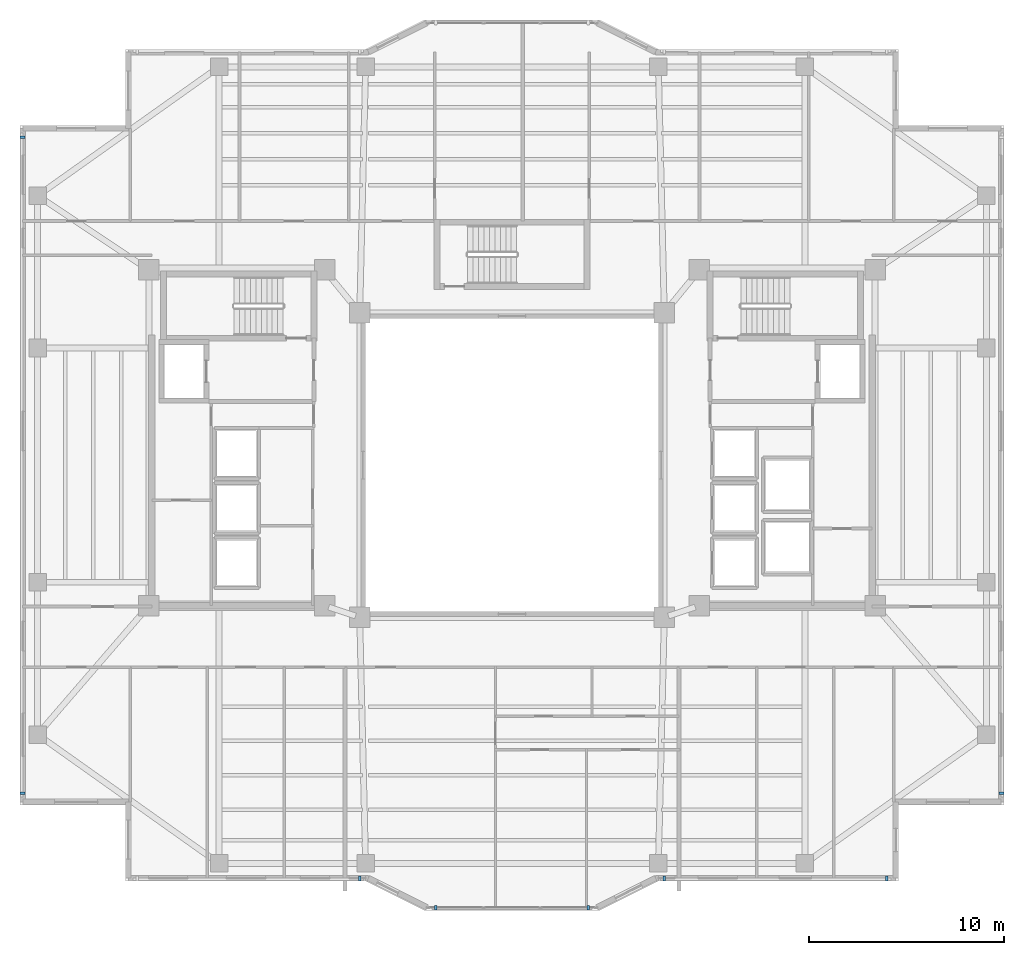
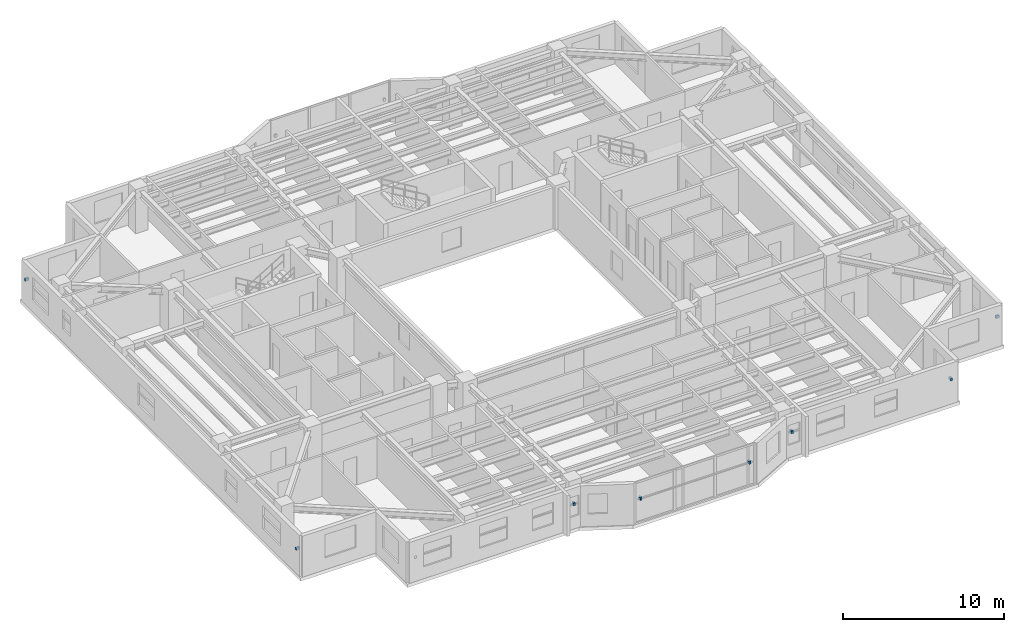
# One storey, part 11 of 15: 8 discrete accessories.
"""IFC4 building model written with IfcOpenShell, lengths in metres."""

from ifc_helpers import new_model, si_unit, direction, frame, origin, origin_2d, place, context, subcontext, project, spatial, rectangle, extrude, material, type_object, element, save


model = new_model("IFC4")

# Units and contexts
model_context = context("Model", 3, precision=1e-05, world=origin(), true_north=direction((0.0, 1.0)))
body_context = subcontext(model_context, "Body", "Model", "MODEL_VIEW")
ifc_project = project(units=[si_unit("LENGTHUNIT", "METRE"), si_unit("AREAUNIT", "SQUARE_METRE"), si_unit("VOLUMEUNIT", "CUBIC_METRE"), si_unit("PLANEANGLEUNIT", "RADIAN"), si_unit("MASSUNIT", "GRAM", prefix="KILO")], contexts=[model_context])

# Site, building, storey
site_placement = place(None, origin())
site = spatial("IfcSite", under=ifc_project, at=site_placement, CompositionType="ELEMENT")
building_placement = place(site_placement, origin())
building = spatial("IfcBuilding", under=site, at=building_placement, Name="Tarnavaz Court Tower", CompositionType="ELEMENT")
storey_placement = place(building_placement, frame((0.0, 0.0, 142.64990234375)))
storey = spatial("IfcBuildingStorey", under=building, at=storey_placement, Name="L38", CompositionType="ELEMENT", Elevation=142.64990234375)

# Discrete accessories
ifc_material = material(Name="Anodised Aluminium 6063-T6", Category="aluminium")
discrete_accessory_type = type_object("IfcDiscreteAccessoryType", Name="DA-BRKT-ALU", PredefinedType="BRACKET", material=ifc_material)
for number, where, z_axis, x_axis, name in (
    (1, (-25.070068359375, -16.800048828125, 1.75), (0.0, 0.0, 1.0), (0.0, 1.0, 0.0), "L38 Baguette Outrigger Bracket FBG02-1"),
    (2, (-25.070068359375, 16.800048828125, 1.75), (0.0, 0.0, 1.0), (0.0, 1.0, 0.0), "L38 Baguette Outrigger Bracket FBG02-2"),
    (3, (25.070068359375, -16.800048828125, 1.75), (0.0, 0.0, 1.0), (0.0, -1.0, 0.0), "L38 Baguette Outrigger Bracket FBG12-2"),
    (4, (19.199951171875, -21.169921875, 1.75), (0.0, 0.0, 1.0), (-1.0, 0.0, 0.0), "L38 Baguette Outrigger Bracket FBG15-1"),
    (5, (7.800048828125, -21.169921875, 1.75), (0.0, 0.0, 1.0), (-1.0, 0.0, 0.0), "L38 Baguette Outrigger Bracket FBG15-2"),
    (6, (3.89990234375, -22.669921875, 1.7001953125), (0.0, 0.0, 1.0), (-1.0, 0.0, 0.0), "L38 Baguette Outrigger Bracket PBG17-1"),
    (7, (-3.89990234375, -22.669921875, 1.7001953125), (0.0, 0.0, 1.0), (-1.0, 0.0, 0.0), "L38 Baguette Outrigger Bracket PBG17-2"),
    (8, (-7.800048828125, -21.169921875, 1.75), (0.0, 0.0, 1.0), (-1.0, 0.0, 0.0), "L38 Baguette Outrigger Bracket FBG19-1"),
):
    element("IfcDiscreteAccessory", number, at=place(storey_placement, frame(where, z_axis=z_axis, x_axis=x_axis)), inside=storey, type_object=discrete_accessory_type, Name=name, PredefinedType="BRACKET", context=body_context, shape_type="SweptSolid", body=[
        extrude(rectangle(XDim=0.139892578125, YDim=0.239990234375, at=origin_2d()), origin(), (0.0, 0.0, 1.0), 0.199951171875),
    ])

save(model, "model.ifc")
